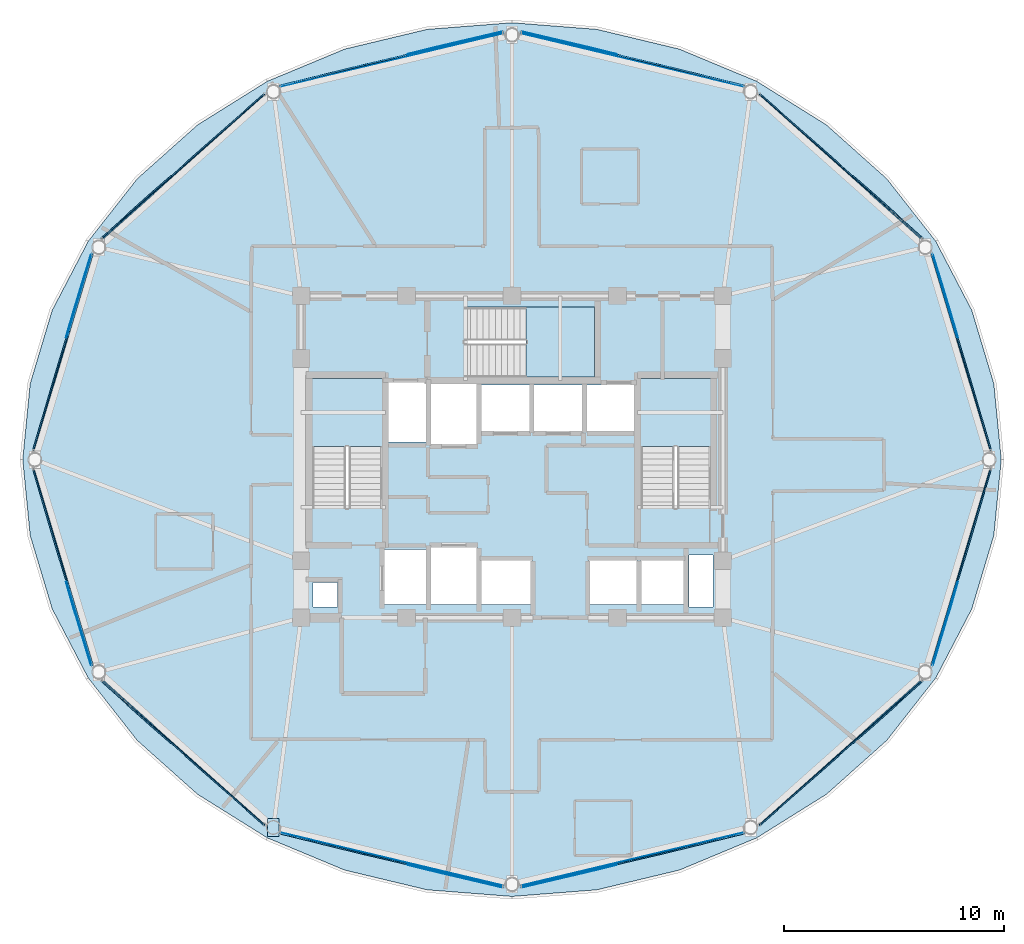
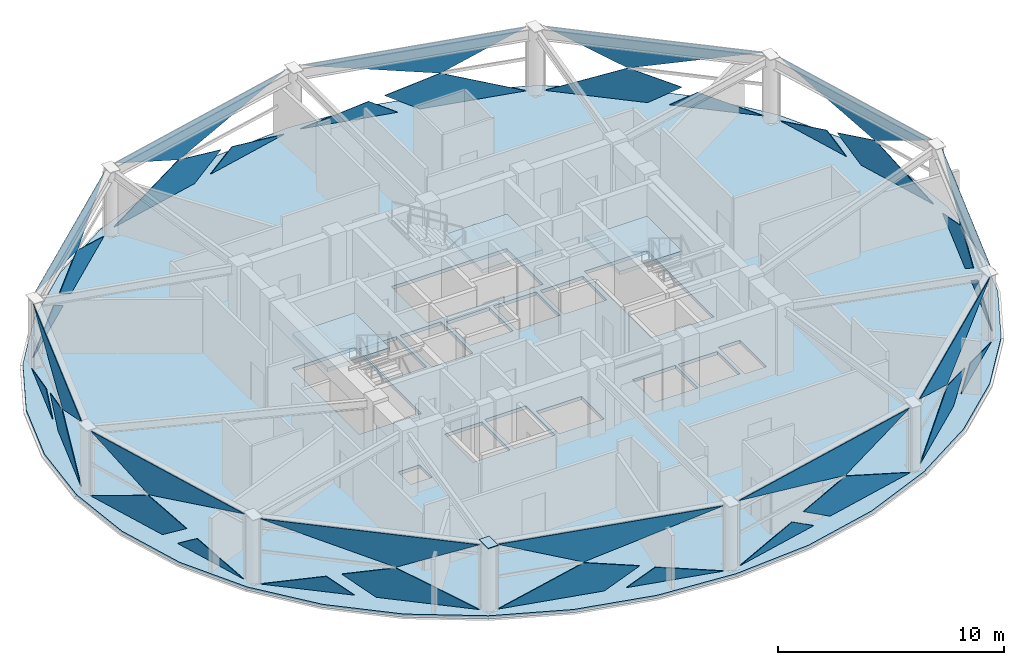
# One storey, part 20 of 28: 37 plates, 4 slabs, 15 elements without a shape of their own.
"""IFC4 building model written with IfcOpenShell, lengths in metres."""

from ifc_helpers import new_model, si_unit, direction, frame, origin, place, context, subcontext, project, spatial, polyline, outline, extrude, material, layer, layer_set, type_object, element, aggregate, save


model = new_model("IFC4")

# Units and contexts
model_context = context("Model", 3, precision=1e-05, world=origin(), true_north=direction((0.0, 1.0)))
body_context = subcontext(model_context, "Body", "Model", "MODEL_VIEW")
ifc_project = project(units=[si_unit("LENGTHUNIT", "METRE"), si_unit("AREAUNIT", "SQUARE_METRE"), si_unit("VOLUMEUNIT", "CUBIC_METRE"), si_unit("PLANEANGLEUNIT", "RADIAN"), si_unit("MASSUNIT", "GRAM", prefix="KILO")], contexts=[model_context])

# Site, building, storey
site_placement = place(None, origin())
site = spatial("IfcSite", under=ifc_project, at=site_placement, CompositionType="ELEMENT")
building_placement = place(site_placement, origin())
building = spatial("IfcBuilding", under=site, at=building_placement, Name="Vantalir Tower", CompositionType="ELEMENT")
storey_placement = place(building_placement, frame((0.0, 0.0, 246.14990234375)))
storey = spatial("IfcBuildingStorey", under=building, at=storey_placement, Name="L62", CompositionType="ELEMENT", Elevation=246.14990234375)

# Curtain wall, plates
ifc_material_1 = material(Name="Champagne-silver PVDF aluminium and double-silver Low-E glass", Category="aluminium")
ifc_layer_1 = layer(ifc_material_1, 0.2099609375)
ifc_layer_set_1 = layer_set([ifc_layer_1], Name="Champagne-silver PVDF aluminium and double-silver Low-E glass")
curtain_wall_type = type_object("IfcCurtainWallType", Name="CW-DIAMOND-Z3", PredefinedType="USERDEFINED", material=ifc_layer_set_1)
curtain_wall_1_placement = place(storey_placement, origin())
curtain_wall_1 = element("IfcCurtainWall", 1, at=curtain_wall_1_placement, inside=storey, type_object=curtain_wall_type, Name="L62 Quilted Pyramid-Diamond Curtain Wall S01", ObjectType="UNITISED CURTAIN WALL", PredefinedType="USERDEFINED")
ifc_material_2 = material(Name="Double-silver Low-E acoustic glass IGU", Category="glass")
ifc_layer_2 = layer(ifc_material_2, 0.031982421875)
ifc_layer_set_2 = layer_set([ifc_layer_2], Name="Double-silver Low-E acoustic glass IGU")
plate_type_1 = type_object("IfcPlateType", Name="CWP-IGU-32", PredefinedType="CURTAIN_PANEL", material=ifc_layer_set_2)
plate_1_placement = place(storey_placement, frame((53.28564453125, 25.406982421875, 0.047119140625), z_axis=(-0.957552532333, -0.287933015329, 0.013701332278), x_axis=(-0.28796077594, 0.957642202713, -5.5701221e-05)))
plate_1 = element("IfcPlate", 2, at=plate_1_placement, type_object=plate_type_1, Name="CW-L62-S01 Pyramid Diamond Facet 1L", PredefinedType="CURTAIN_PANEL", context=body_context, shape_type="SweptSolid", body=[
    extrude(outline(polyline([(0.0, 0.0), (4.388276432438753, -3.144186300207963e-18), (5.864118236400002, -1.0368009153567608), (3.5520079225031527, -1.7257013465447941), (0.0, 0.0)])), origin(), (0.0, 0.0, -1.0), 0.031982421875),
])
plate_2_placement = place(storey_placement, frame((51.78125, 30.534912109375, 0.04638671875), z_axis=(-0.957565518054, -0.287892323291, 0.013648766381), x_axis=(-0.287919142599, 0.957654722395, 0.0)))
plate_2 = element("IfcPlate", 3, at=plate_2_placement, type_object=plate_type_1, Name="CW-L62-S01 Pyramid Diamond Facet 1L Infill Light", PredefinedType="CURTAIN_PANEL", context=body_context, shape_type="SweptSolid", body=[
    extrude(outline(polyline([(0.0, 0.0), (3.9989254521439648, 1.734723475976807e-18), (1.1911963044620715, -0.8367478638927613), (0.0, 0.0)])), origin(), (0.0, 0.0, -1.0), 0.031982421875),
])
plate_3_placement = place(storey_placement, frame((50.595458984375, 34.35400390625, 3.5234375), z_axis=(0.957557850322, 0.287917600327, 0.013653523683), x_axis=(0.287944782305, -0.95764701308, -2.6131662e-05)))
plate_3 = element("IfcPlate", 4, at=plate_3_placement, type_object=plate_type_1, Name="CW-L62-S01 Pyramid Diamond Facet 2U", PredefinedType="CURTAIN_PANEL", context=body_context, shape_type="SweptSolid", body=[
    extrude(outline(polyline([(0.0, 0.0), (9.342713298506363, 1.1438332919722072e-17), (5.790653966445077, 1.7258396311984687), (0.0, 0.0)])), origin(), (0.0, 0.0, -1.0), 0.031982421875),
])
aggregate(curtain_wall_1, [plate_1, plate_2, plate_3])

curtain_wall_2_placement = place(storey_placement, origin())
curtain_wall_2 = element("IfcCurtainWall", 5, at=curtain_wall_2_placement, inside=storey, type_object=curtain_wall_type, Name="L62 Quilted Pyramid-Diamond Curtain Wall S02", ObjectType="UNITISED CURTAIN WALL", PredefinedType="USERDEFINED")
plate_4_placement = place(storey_placement, frame((46.24658203125, 38.52734375, 0.046875), z_axis=(-0.665218153377, -0.746522099102, 0.013768223233), x_axis=(-0.74659286434, 0.665281214913, 1.82269e-07)))
plate_4 = element("IfcPlate", 6, at=plate_4_placement, type_object=plate_type_1, Name="CW-L62-S02 Pyramid Diamond Facet 1L", PredefinedType="CURTAIN_PANEL", context=body_context, shape_type="SweptSolid", body=[
    extrude(outline(polyline([(0.0, 0.0), (4.654990633558481, 6.938893903907228e-18), (0.8900319833649103, -1.7259935167460585), (-1.5555452392189206, -1.0369646565889725), (0.0, 0.0)])), origin(), (0.0, 0.0, -1.0), 0.031982421875),
])
plate_5_placement = place(storey_placement, frame((50.1796875, 35.070556640625, 0.046142578125), z_axis=(-0.665237871019, -0.746503104611, 0.01384520737), x_axis=(-0.746574132311, 0.665302233316, 5.7517268e-05)))
plate_5 = element("IfcPlate", 7, at=plate_5_placement, type_object=plate_type_1, Name="CW-L62-S02 Pyramid Diamond Facet 1L Infill Light", PredefinedType="CURTAIN_PANEL", context=body_context, shape_type="SweptSolid", body=[
    extrude(outline(polyline([(0.0, 0.0), (4.2446492255091055, -3.06287113727155e-18), (2.9839648471847116, -0.8407292678471551), (0.0, 0.0)])), origin(), (0.0, 0.0, -1.0), 0.031982421875),
])
plate_6_placement = place(storey_placement, frame((42.771240234375, 41.624267578125, 3.523193359375), z_axis=(0.665234431269, 0.746507368961, 0.013780404246), x_axis=(0.74657803322, -0.665297857884, 2.4682713e-05)))
plate_6 = element("IfcPlate", 8, at=plate_6_placement, type_object=plate_type_1, Name="CW-L62-S02 Pyramid Diamond Facet 2U", PredefinedType="CURTAIN_PANEL", context=body_context, shape_type="SweptSolid", body=[
    extrude(outline(polyline([(0.0, 0.0), (9.89115826583857, -2.439454888092385e-19), (3.764915836127231, 1.72608690632679), (0.0, 0.0)])), origin(), (0.0, 0.0, -1.0), 0.031982421875),
])
aggregate(curtain_wall_2, [plate_4, plate_5, plate_6])

curtain_wall_3_placement = place(storey_placement, origin())
curtain_wall_3 = element("IfcCurtainWall", 9, at=curtain_wall_3_placement, inside=storey, type_object=curtain_wall_type, Name="L62 Quilted Pyramid-Diamond Curtain Wall S03", ObjectType="UNITISED CURTAIN WALL", PredefinedType="USERDEFINED")
plate_7_placement = place(storey_placement, frame((42.040771484375, 42.005615234375, 0.046875), z_axis=(-0.232288291196, -0.972551558189, 0.013624112328), x_axis=(-0.972641831194, 0.232309853884, 1.07405e-07)))
plate_7 = element("IfcPlate", 10, at=plate_7_placement, type_object=plate_type_1, Name="CW-L62-S03 Pyramid Diamond Facet 1L", PredefinedType="CURTAIN_PANEL", context=body_context, shape_type="SweptSolid", body=[
    extrude(outline(polyline([(0.0, 0.0), (4.908716547441816, 3.469446951953614e-18), (6.538609481317803, -1.0362282851837747), (3.9589985220961275, -1.726234536941505), (0.0, 0.0)])), origin(), (0.0, 0.0, -1.0), 0.031982421875),
])
plate_8_placement = place(storey_placement, frame((36.27783203125, 43.4189453125, 0.046142578125), z_axis=(-0.232252000906, -0.972558660447, 0.013735358161), x_axis=(-0.97265041492, 0.232273912345, 0.0)))
plate_8 = element("IfcPlate", 11, at=plate_8_placement, type_object=plate_type_1, Name="CW-L62-S03 Pyramid Diamond Facet 1L Infill Light", PredefinedType="CURTAIN_PANEL", context=body_context, shape_type="SweptSolid", body=[
    extrude(outline(polyline([(0.0, 0.0), (4.4786915268356156, 0.0), (1.326318338676795, -0.843341274911813), (0.0, 0.0)])), origin(), (0.0, 0.0, -1.0), 0.031982421875),
])
plate_9_placement = place(storey_placement, frame((31.913330078125, 44.42431640625, 3.523681640625), z_axis=(0.232272423601, 0.97255448723, 0.013685415685), x_axis=(0.972645723208, -0.232293553344, -4.6894833e-05)))
plate_9 = element("IfcPlate", 12, at=plate_9_placement, type_object=plate_type_1, Name="CW-L62-S03 Pyramid Diamond Facet 2U", PredefinedType="CURTAIN_PANEL", context=body_context, shape_type="SweptSolid", body=[
    extrude(outline(polyline([(0.0, 0.0), (10.412261283423264, 9.974659986866641e-18), (6.4533442789255595, 1.7261773887445437), (0.0, 0.0)])), origin(), (0.0, 0.0, -1.0), 0.031982421875),
])
aggregate(curtain_wall_3, [plate_7, plate_8, plate_9])

curtain_wall_4_placement = place(storey_placement, origin())
curtain_wall_4 = element("IfcCurtainWall", 13, at=curtain_wall_4_placement, inside=storey, type_object=curtain_wall_type, Name="L62 Quilted Pyramid-Diamond Curtain Wall S04", ObjectType="UNITISED CURTAIN WALL", PredefinedType="USERDEFINED")
plate_10_placement = place(storey_placement, frame((25.733642578125, 43.14599609375, 0.046875), z_axis=(0.232288291196, -0.972551558189, 0.013624112328), x_axis=(-0.972641831194, -0.232309853884, -1.07405e-07)))
plate_10 = element("IfcPlate", 14, at=plate_10_placement, type_object=plate_type_1, Name="CW-L62-S04 Pyramid Diamond Facet 1L", PredefinedType="CURTAIN_PANEL", context=body_context, shape_type="SweptSolid", body=[
    extrude(outline(polyline([(0.0, 0.0), (4.908716547441816, -3.469446951953614e-18), (0.9497180253456894, -1.726234536941505), (-1.629892933875986, -1.0362282851837747), (0.0, 0.0)])), origin(), (0.0, 0.0, -1.0), 0.031982421875),
])
plate_11_placement = place(storey_placement, frame((31.078369140625, 44.459228515625, 0.046142578125), z_axis=(0.232252000906, -0.972558660447, 0.013735358161), x_axis=(-0.97265041492, -0.232273912345, 0.0)))
plate_11 = element("IfcPlate", 15, at=plate_11_placement, type_object=plate_type_1, Name="CW-L62-S04 Pyramid Diamond Facet 1L Infill Light", PredefinedType="CURTAIN_PANEL", context=body_context, shape_type="SweptSolid", body=[
    extrude(outline(polyline([(0.0, 0.0), (4.4786915268356156, 0.0), (3.152373188158821, -0.843341274911813), (0.0, 0.0)])), origin(), (0.0, 0.0, -1.0), 0.031982421875),
])
plate_12_placement = place(storey_placement, frame((20.959228515625, 42.005615234375, 3.523193359375), z_axis=(-0.232272423601, 0.97255448723, 0.013685415685), x_axis=(0.972645723208, 0.232293553344, 4.6894833e-05)))
plate_12 = element("IfcPlate", 16, at=plate_12_placement, type_object=plate_type_1, Name="CW-L62-S04 Pyramid Diamond Facet 2U", PredefinedType="CURTAIN_PANEL", context=body_context, shape_type="SweptSolid", body=[
    extrude(outline(polyline([(0.0, 0.0), (10.412261283423264, -9.974659986866641e-18), (3.9589170044977036, 1.7261773887445437), (0.0, 0.0)])), origin(), (0.0, 0.0, -1.0), 0.031982421875),
])
aggregate(curtain_wall_4, [plate_10, plate_11, plate_12])

curtain_wall_5_placement = place(storey_placement, origin())
curtain_wall_5 = element("IfcCurtainWall", 17, at=curtain_wall_5_placement, inside=storey, type_object=curtain_wall_type, Name="L62 Quilted Pyramid-Diamond Curtain Wall S05", ObjectType="UNITISED CURTAIN WALL", PredefinedType="USERDEFINED")
plate_13_placement = place(storey_placement, frame((20.228759765625, 41.624267578125, 0.046875), z_axis=(0.665218153377, -0.746522099102, 0.013768223233), x_axis=(-0.74659286434, -0.665281214913, -1.82269e-07)))
plate_13 = element("IfcPlate", 18, at=plate_13_placement, type_object=plate_type_1, Name="CW-L62-S05 Pyramid Diamond Facet 1L", PredefinedType="CURTAIN_PANEL", context=body_context, shape_type="SweptSolid", body=[
    extrude(outline(polyline([(0.0, 0.0), (4.654990633558481, -6.938893903907228e-18), (6.210535872777402, -1.0369646565889725), (3.7649586501935706, -1.7259935167460585), (0.0, 0.0)])), origin(), (0.0, 0.0, -1.0), 0.031982421875),
])
plate_14_placement = place(storey_placement, frame((15.9892578125, 37.89453125, 0.04638671875), z_axis=(0.665237871019, -0.746503104611, 0.01384520737), x_axis=(-0.746574132311, -0.665302233316, -5.7517268e-05)))
plate_14 = element("IfcPlate", 19, at=plate_14_placement, type_object=plate_type_1, Name="CW-L62-S05 Pyramid Diamond Facet 1L Infill Light", PredefinedType="CURTAIN_PANEL", context=body_context, shape_type="SweptSolid", body=[
    extrude(outline(polyline([(0.0, 0.0), (4.2446492255091055, 3.06287113727155e-18), (1.2606843783243948, -0.8407292678471551), (0.0, 0.0)])), origin(), (0.0, 0.0, -1.0), 0.031982421875),
])
plate_15_placement = place(storey_placement, frame((12.84423828125, 35.043701171875, 3.5234375), z_axis=(-0.665234431269, 0.746507368961, 0.013780404246), x_axis=(0.74657803322, 0.665297857884, -2.4682713e-05)))
plate_15 = element("IfcPlate", 20, at=plate_15_placement, type_object=plate_type_1, Name="CW-L62-S05 Pyramid Diamond Facet 2U", PredefinedType="CURTAIN_PANEL", context=body_context, shape_type="SweptSolid", body=[
    extrude(outline(polyline([(0.0, 0.0), (9.89115826583857, 2.439454888092385e-19), (6.126242429711338, 1.7260869063267903), (0.0, 0.0)])), origin(), (0.0, 0.0, -1.0), 0.031982421875),
])
aggregate(curtain_wall_5, [plate_13, plate_14, plate_15])

curtain_wall_6_placement = place(storey_placement, origin())
curtain_wall_6 = element("IfcCurtainWall", 21, at=curtain_wall_6_placement, inside=storey, type_object=curtain_wall_type, Name="L62 Quilted Pyramid-Diamond Curtain Wall S06", ObjectType="UNITISED CURTAIN WALL", PredefinedType="USERDEFINED")
plate_16_placement = place(storey_placement, frame((10.97802734375, 29.609375, 0.046875), z_axis=(0.957552532333, -0.287933015329, 0.013701332278), x_axis=(-0.28796077594, -0.957642202713, 5.5701221e-05)))
plate_16 = element("IfcPlate", 22, at=plate_16_placement, type_object=plate_type_1, Name="CW-L62-S06 Pyramid Diamond Facet 1L", PredefinedType="CURTAIN_PANEL", context=body_context, shape_type="SweptSolid", body=[
    extrude(outline(polyline([(0.0, 0.0), (4.388276432438753, 3.144186300207963e-18), (0.8362685099355998, -1.7257013465447941), (-1.4758418039612502, -1.0368009153567608), (0.0, 0.0)])), origin(), (0.0, 0.0, -1.0), 0.031982421875),
])
plate_17_placement = place(storey_placement, frame((12.3701171875, 34.364501953125, 0.04638671875), z_axis=(0.957565518054, -0.287892323291, 0.013648766381), x_axis=(-0.287919142599, -0.957654722395, 0.0)))
plate_17 = element("IfcPlate", 23, at=plate_17_placement, type_object=plate_type_1, Name="CW-L62-S06 Pyramid Diamond Facet 1L Infill Light", PredefinedType="CURTAIN_PANEL", context=body_context, shape_type="SweptSolid", body=[
    extrude(outline(polyline([(0.0, 0.0), (3.9989254521439648, -1.734723475976807e-18), (2.807729147681893, -0.8367478638927613), (0.0, 0.0)])), origin(), (0.0, 0.0, -1.0), 0.031982421875),
])
plate_18_placement = place(storey_placement, frame((9.71435546875, 25.406982421875, 3.523193359375), z_axis=(-0.957557850322, 0.287917600327, 0.013653523683), x_axis=(0.287944782305, 0.95764701308, 2.6131662e-05)))
plate_18 = element("IfcPlate", 24, at=plate_18_placement, type_object=plate_type_1, Name="CW-L62-S06 Pyramid Diamond Facet 2U", PredefinedType="CURTAIN_PANEL", context=body_context, shape_type="SweptSolid", body=[
    extrude(outline(polyline([(0.0, 0.0), (9.342713298506363, -1.1438332919722072e-17), (3.5520593320612868, 1.7258396311984685), (0.0, 0.0)])), origin(), (0.0, 0.0, -1.0), 0.031982421875),
])
aggregate(curtain_wall_6, [plate_16, plate_17, plate_18])

curtain_wall_7_placement = place(storey_placement, origin())
curtain_wall_7 = element("IfcCurtainWall", 25, at=curtain_wall_7_placement, inside=storey, type_object=curtain_wall_type, Name="L62 Quilted Pyramid-Diamond Curtain Wall S07", ObjectType="UNITISED CURTAIN WALL", PredefinedType="USERDEFINED")
plate_19_placement = place(storey_placement, frame((9.71435546875, 24.593017578125, 0.047119140625), z_axis=(0.957558750376, 0.287911826425, 0.013712030577), x_axis=(0.287939625987, -0.957648562208, -5.5558857e-05)))
plate_19 = element("IfcPlate", 26, at=plate_19_placement, type_object=plate_type_1, Name="CW-L62-S07 Pyramid Diamond Facet 1L", PredefinedType="CURTAIN_PANEL", context=body_context, shape_type="SweptSolid", body=[
    extrude(outline(polyline([(0.0, 0.0), (4.388744032735341, 2.8189256484623115e-18), (5.86458629813108, -1.036800258501032), (3.5524762908540244, -1.7257017187408568), (0.0, 0.0)])), origin(), (0.0, 0.0, -1.0), 0.031982421875),
])
plate_20_placement = place(storey_placement, frame((11.21875, 19.46435546875, 0.04638671875), z_axis=(0.957570904892, 0.287875590455, 0.013623748532), x_axis=(0.287902309969, -0.957659782968, 0.0)))
plate_20 = element("IfcPlate", 27, at=plate_20_placement, type_object=plate_type_1, Name="CW-L62-S07 Pyramid Diamond Facet 1L Infill Light", PredefinedType="CURTAIN_PANEL", context=body_context, shape_type="SweptSolid", body=[
    extrude(outline(polyline([(0.0, 0.0), (3.999159255184188, 0.0), (1.191196505016208, -0.8367475783833296), (0.0, 0.0)])), origin(), (0.0, 0.0, -1.0), 0.031982421875),
])
plate_21_placement = place(storey_placement, frame((12.404541015625, 15.64501953125, 3.5234375), z_axis=(-0.957566259519, -0.287888705372, 0.013673037332), x_axis=(-0.287915961893, 0.957655678313, -2.6129046e-05)))
plate_21 = element("IfcPlate", 28, at=plate_21_placement, type_object=plate_type_1, Name="CW-L62-S07 Pyramid Diamond Facet 2U", PredefinedType="CURTAIN_PANEL", context=body_context, shape_type="SweptSolid", body=[
    extrude(outline(polyline([(0.0, 0.0), (9.343648504898855, -1.9244588561617704e-18), (5.791120855471177, 1.7258400943749712), (0.0, 0.0)])), origin(), (0.0, 0.0, -1.0), 0.031982421875),
])
aggregate(curtain_wall_7, [plate_19, plate_20, plate_21])

curtain_wall_8_placement = place(storey_placement, origin())
curtain_wall_8 = element("IfcCurtainWall", 29, at=curtain_wall_8_placement, inside=storey, type_object=curtain_wall_type, Name="L62 Quilted Pyramid-Diamond Curtain Wall S08", ObjectType="UNITISED CURTAIN WALL", PredefinedType="USERDEFINED")
plate_22_placement = place(storey_placement, frame((16.75341796875, 11.47216796875, 0.046875), z_axis=(0.665177549203, 0.746557764667, 0.013796088259), x_axis=(0.746628823143, -0.665240858977, -1.52164e-07)))
plate_22 = element("IfcPlate", 30, at=plate_22_placement, type_object=plate_type_1, Name="CW-L62-S08 Pyramid Diamond Facet 1L", PredefinedType="CURTAIN_PANEL", context=body_context, shape_type="SweptSolid", body=[
    extrude(outline(polyline([(0.0, 0.0), (4.654665798789615, 0.0), (0.8900301204015797, -1.7259944774071123), (-1.5555463587507834, -1.03696297774338), (0.0, 0.0)])), origin(), (0.0, 0.0, -1.0), 0.031982421875),
])
plate_23_placement = place(storey_placement, frame((12.8203125, 14.928466796875, 0.046142578125), z_axis=(0.66520838928, 0.746534537171, 0.01356405699), x_axis=(0.746602701395, -0.665270172908, 5.7519469e-05)))
plate_23 = element("IfcPlate", 31, at=plate_23_placement, type_object=plate_type_1, Name="CW-L62-S08 Pyramid Diamond Facet 1L Infill Light", PredefinedType="CURTAIN_PANEL", context=body_context, shape_type="SweptSolid", body=[
    extrude(outline(polyline([(0.0, 0.0), (4.244486802119599, -7.616520261710669e-18), (2.9836395074778035, -0.8407260400092053), (0.0, 0.0)])), origin(), (0.0, 0.0, -1.0), 0.031982421875),
])
plate_24_placement = place(storey_placement, frame((20.228759765625, 8.375732421875, 3.523193359375), z_axis=(-0.66517893661, -0.746555885954, 0.013830814773), x_axis=(-0.746627073708, 0.66524282198, 2.4684335e-05)))
plate_24 = element("IfcPlate", 32, at=plate_24_placement, type_object=plate_type_1, Name="CW-L62-S08 Pyramid Diamond Facet 2U", PredefinedType="CURTAIN_PANEL", context=body_context, shape_type="SweptSolid", body=[
    extrude(outline(polyline([(0.0, 0.0), (9.890508587771347, 1.2197274440461925e-18), (3.764592750903992, 1.7260881059519486), (0.0, 0.0)])), origin(), (0.0, 0.0, -1.0), 0.031982421875),
])
aggregate(curtain_wall_8, [plate_22, plate_23, plate_24])

curtain_wall_9_placement = place(storey_placement, origin())
curtain_wall_9 = element("IfcCurtainWall", 33, at=curtain_wall_9_placement, inside=storey, type_object=curtain_wall_type, Name="L62 Quilted Pyramid-Diamond Curtain Wall S09", ObjectType="UNITISED CURTAIN WALL", PredefinedType="USERDEFINED")
plate_25_placement = place(storey_placement, frame((20.959228515625, 7.994384765625, 0.046875), z_axis=(0.232288291196, 0.972551558189, 0.013624112328), x_axis=(0.972641831194, -0.232309853884, 1.07405e-07)))
plate_25 = element("IfcPlate", 34, at=plate_25_placement, type_object=plate_type_1, Name="CW-L62-S09 Pyramid Diamond Facet 1L", PredefinedType="CURTAIN_PANEL", context=body_context, shape_type="SweptSolid", body=[
    extrude(outline(polyline([(0.0, 0.0), (4.908716547441816, 3.469446951953614e-18), (6.538609481317803, -1.0362282851837747), (3.9589985220961275, -1.726234536941505), (0.0, 0.0)])), origin(), (0.0, 0.0, -1.0), 0.031982421875),
])
plate_26_placement = place(storey_placement, frame((26.72216796875, 6.5810546875, 0.046142578125), z_axis=(0.232252000906, 0.972558660447, 0.013735358161), x_axis=(0.97265041492, -0.232273912345, 0.0)))
plate_26 = element("IfcPlate", 35, at=plate_26_placement, type_object=plate_type_1, Name="CW-L62-S09 Pyramid Diamond Facet 1L Infill Light", PredefinedType="CURTAIN_PANEL", context=body_context, shape_type="SweptSolid", body=[
    extrude(outline(polyline([(0.0, 0.0), (4.4786915268356156, 0.0), (1.326318338676795, -0.843341274911813), (0.0, 0.0)])), origin(), (0.0, 0.0, -1.0), 0.031982421875),
])
plate_27_placement = place(storey_placement, frame((31.086669921875, 5.57568359375, 3.523681640625), z_axis=(-0.232272423601, -0.97255448723, 0.013685415685), x_axis=(-0.972645723208, 0.232293553344, -4.6894833e-05)))
plate_27 = element("IfcPlate", 36, at=plate_27_placement, type_object=plate_type_1, Name="CW-L62-S09 Pyramid Diamond Facet 2U", PredefinedType="CURTAIN_PANEL", context=body_context, shape_type="SweptSolid", body=[
    extrude(outline(polyline([(0.0, 0.0), (10.412261283423264, 9.974659986866641e-18), (6.4533442789255595, 1.7261773887445437), (0.0, 0.0)])), origin(), (0.0, 0.0, -1.0), 0.031982421875),
])
aggregate(curtain_wall_9, [plate_25, plate_26, plate_27])

curtain_wall_10_placement = place(storey_placement, origin())
curtain_wall_10 = element("IfcCurtainWall", 37, at=curtain_wall_10_placement, inside=storey, type_object=curtain_wall_type, Name="L62 Quilted Pyramid-Diamond Curtain Wall S10", ObjectType="UNITISED CURTAIN WALL", PredefinedType="USERDEFINED")
plate_28_placement = place(storey_placement, frame((37.266357421875, 6.85400390625, 0.046875), z_axis=(-0.232288291196, 0.972551558189, 0.013624112328), x_axis=(0.972641831194, 0.232309853884, -1.07405e-07)))
plate_28 = element("IfcPlate", 38, at=plate_28_placement, type_object=plate_type_1, Name="CW-L62-S10 Pyramid Diamond Facet 1L", PredefinedType="CURTAIN_PANEL", context=body_context, shape_type="SweptSolid", body=[
    extrude(outline(polyline([(0.0, 0.0), (4.908716547441816, -3.469446951953614e-18), (0.9497180253456894, -1.726234536941505), (-1.629892933875986, -1.0362282851837747), (0.0, 0.0)])), origin(), (0.0, 0.0, -1.0), 0.031982421875),
])
plate_29_placement = place(storey_placement, frame((31.921630859375, 5.540771484375, 0.046142578125), z_axis=(-0.232252000906, 0.972558660447, 0.013735358161), x_axis=(0.97265041492, 0.232273912345, 0.0)))
plate_29 = element("IfcPlate", 39, at=plate_29_placement, type_object=plate_type_1, Name="CW-L62-S10 Pyramid Diamond Facet 1L Infill Light", PredefinedType="CURTAIN_PANEL", context=body_context, shape_type="SweptSolid", body=[
    extrude(outline(polyline([(0.0, 0.0), (4.4786915268356156, 0.0), (3.152373188158821, -0.843341274911813), (0.0, 0.0)])), origin(), (0.0, 0.0, -1.0), 0.031982421875),
])
plate_30_placement = place(storey_placement, frame((42.040771484375, 7.994384765625, 3.523193359375), z_axis=(0.232272423601, -0.97255448723, 0.013685415685), x_axis=(-0.972645723208, -0.232293553344, 4.6894833e-05)))
plate_30 = element("IfcPlate", 40, at=plate_30_placement, type_object=plate_type_1, Name="CW-L62-S10 Pyramid Diamond Facet 2U", PredefinedType="CURTAIN_PANEL", context=body_context, shape_type="SweptSolid", body=[
    extrude(outline(polyline([(0.0, 0.0), (10.412261283423264, -9.974659986866641e-18), (3.9589170044977036, 1.7261773887445437), (0.0, 0.0)])), origin(), (0.0, 0.0, -1.0), 0.031982421875),
])
aggregate(curtain_wall_10, [plate_28, plate_29, plate_30])

curtain_wall_11_placement = place(storey_placement, origin())
curtain_wall_11 = element("IfcCurtainWall", 41, at=curtain_wall_11_placement, inside=storey, type_object=curtain_wall_type, Name="L62 Quilted Pyramid-Diamond Curtain Wall S11", ObjectType="UNITISED CURTAIN WALL", PredefinedType="USERDEFINED")
plate_31_placement = place(storey_placement, frame((42.771240234375, 8.375732421875, 0.046875), z_axis=(-0.665177549203, 0.746557764667, 0.013796088259), x_axis=(0.746628823143, 0.665240858977, 1.52164e-07)))
plate_31 = element("IfcPlate", 42, at=plate_31_placement, type_object=plate_type_1, Name="CW-L62-S11 Pyramid Diamond Facet 1L", PredefinedType="CURTAIN_PANEL", context=body_context, shape_type="SweptSolid", body=[
    extrude(outline(polyline([(0.0, 0.0), (4.654665798789615, 0.0), (6.210212157540399, -1.03696297774338), (3.7646356783880353, -1.7259944774071123), (0.0, 0.0)])), origin(), (0.0, 0.0, -1.0), 0.031982421875),
])
plate_32_placement = place(storey_placement, frame((47.0107421875, 12.104736328125, 0.04638671875), z_axis=(-0.66520838928, 0.746534537171, 0.01356405699), x_axis=(0.746602701395, 0.665270172908, -5.7519469e-05)))
plate_32 = element("IfcPlate", 43, at=plate_32_placement, type_object=plate_type_1, Name="CW-L62-S11 Pyramid Diamond Facet 1L Infill Light", PredefinedType="CURTAIN_PANEL", context=body_context, shape_type="SweptSolid", body=[
    extrude(outline(polyline([(0.0, 0.0), (4.244486802119599, 7.616520261710669e-18), (1.2608472946417963, -0.8407260400092053), (0.0, 0.0)])), origin(), (0.0, 0.0, -1.0), 0.031982421875),
])
plate_33_placement = place(storey_placement, frame((50.15576171875, 14.955322265625, 3.5234375), z_axis=(0.66517893661, -0.746555885954, 0.013830814773), x_axis=(-0.746627073708, -0.66524282198, -2.4684335e-05)))
plate_33 = element("IfcPlate", 44, at=plate_33_placement, type_object=plate_type_1, Name="CW-L62-S11 Pyramid Diamond Facet 2U", PredefinedType="CURTAIN_PANEL", context=body_context, shape_type="SweptSolid", body=[
    extrude(outline(polyline([(0.0, 0.0), (9.890508587771347, -1.2197274440461925e-18), (6.125915836867356, 1.7260881059519486), (0.0, 0.0)])), origin(), (0.0, 0.0, -1.0), 0.031982421875),
])
aggregate(curtain_wall_11, [plate_31, plate_32, plate_33])

curtain_wall_12_placement = place(storey_placement, origin())
curtain_wall_12 = element("IfcCurtainWall", 45, at=curtain_wall_12_placement, inside=storey, type_object=curtain_wall_type, Name="L62 Quilted Pyramid-Diamond Curtain Wall S12", ObjectType="UNITISED CURTAIN WALL", PredefinedType="USERDEFINED")
plate_34_placement = place(storey_placement, frame((52.02197265625, 20.39013671875, 0.046875), z_axis=(-0.957558750376, 0.287911826425, 0.013712030577), x_axis=(0.287939625987, 0.957648562208, 5.5558857e-05)))
plate_34 = element("IfcPlate", 46, at=plate_34_placement, type_object=plate_type_1, Name="CW-L62-S12 Pyramid Diamond Facet 1L", PredefinedType="CURTAIN_PANEL", context=body_context, shape_type="SweptSolid", body=[
    extrude(outline(polyline([(0.0, 0.0), (4.388744032735341, -2.8189256484623115e-18), (0.836267741881316, -1.7257017187408568), (-1.4758422653957393, -1.036800258501032), (0.0, 0.0)])), origin(), (0.0, 0.0, -1.0), 0.031982421875),
])
plate_35_placement = place(storey_placement, frame((50.6298828125, 15.634521484375, 0.04638671875), z_axis=(-0.957570904892, 0.287875590455, 0.013623748532), x_axis=(0.287902309969, 0.957659782968, 0.0)))
plate_35 = element("IfcPlate", 47, at=plate_35_placement, type_object=plate_type_1, Name="CW-L62-S12 Pyramid Diamond Facet 1L Infill Light", PredefinedType="CURTAIN_PANEL", context=body_context, shape_type="SweptSolid", body=[
    extrude(outline(polyline([(0.0, 0.0), (3.999159255184188, 0.0), (2.80796275016798, -0.8367475783833296), (0.0, 0.0)])), origin(), (0.0, 0.0, -1.0), 0.031982421875),
])
plate_36_placement = place(storey_placement, frame((53.28564453125, 24.593017578125, 3.523193359375), z_axis=(0.957566259519, -0.287888705372, 0.013673037332), x_axis=(-0.287915961893, -0.957655678313, 2.6129046e-05)))
plate_36 = element("IfcPlate", 48, at=plate_36_placement, type_object=plate_type_1, Name="CW-L62-S12 Pyramid Diamond Facet 2U", PredefinedType="CURTAIN_PANEL", context=body_context, shape_type="SweptSolid", body=[
    extrude(outline(polyline([(0.0, 0.0), (9.343648504898855, 1.9244588561617704e-18), (3.5525276494276783, 1.7258400943749712), (0.0, 0.0)])), origin(), (0.0, 0.0, -1.0), 0.031982421875),
])
aggregate(curtain_wall_12, [plate_34, plate_35, plate_36])

# Plate
ifc_material_3 = material(Name="Steel S460", Category="steel")
ifc_layer_3 = layer(ifc_material_3, 0.031982421875)
ifc_layer_set_3 = layer_set([ifc_layer_3], Name="Steel S460")
plate_type_2 = type_object("IfcPlateType", Name="PLT-KN-Z3", PredefinedType="USERDEFINED", material=ifc_layer_set_3)
plate_37_placement = place(storey_placement, frame((20.381103515625, 8.656982421875, 3.593994140625), z_axis=(0.0, 0.0, 1.0), x_axis=(0.0, -1.0, 0.0)))
element("IfcPlate", 49, at=plate_37_placement, inside=storey, type_object=plate_type_2, Name="L62 Ring Column Top Cap RC09", ObjectType="FLANGE_PLATE", PredefinedType="USERDEFINED", context=body_context, shape_type="SweptSolid", body=[
    extrude(outline(polyline([(0.0, 0.0), (0.800048828125, 0.0), (0.800048828125, 0.519775390625), (0.0, 0.519775390625), (0.0, 0.0)])), origin(), (0.0, 0.0, -1.0), 0.031982421875),
])

# Stair, slab
ifc_material_4 = material(Name="Concrete C40/50", Category="concrete")
stair_type = type_object("IfcStairType", Name="STR-CORE-1450", PredefinedType="HALF_TURN_STAIR", material=ifc_material_4)
stair_1_placement = place(storey_placement, origin())
stair_1 = element("IfcStair", 50, at=stair_1_placement, inside=storey, type_object=stair_type, Name="L62 Core Exit Stair 1", PredefinedType="HALF_TURN_STAIR")
ifc_layer_4 = layer(ifc_material_4, 0.199951171875)
ifc_layer_set_4 = layer_set([ifc_layer_4], Name="Concrete C40/50")
slab_type_1 = type_object("IfcSlabType", Name="SL-LAND-200", PredefinedType="LANDING", material=ifc_layer_set_4)
slab_1_placement = place(storey_placement, frame((0.0, 0.0, 1.675048828125)))
slab_1 = element("IfcSlab", 51, at=slab_1_placement, type_object=slab_type_1, Name="ST1 landing 1", PredefinedType="LANDING", context=body_context, shape_type="SweptSolid", body=[
    extrude(outline(polyline([(25.60009765625, 25.590087890625), (25.60009765625, 28.699951171875), (22.39990234375, 28.699951171875), (22.39990234375, 25.590087890625), (25.60009765625, 25.590087890625)])), origin(), (0.0, 0.0, 1.0), 0.199951171875),
])
aggregate(stair_1, [slab_1])

stair_2_placement = place(storey_placement, origin())
stair_2 = element("IfcStair", 52, at=stair_2_placement, inside=storey, type_object=stair_type, Name="L62 Core Exit Stair 2", PredefinedType="HALF_TURN_STAIR")
slab_2_placement = place(storey_placement, frame((0.0, 0.0, 1.675048828125)))
slab_2 = element("IfcSlab", 53, at=slab_2_placement, type_object=slab_type_1, Name="ST2 landing 1", PredefinedType="LANDING", context=body_context, shape_type="SweptSolid", body=[
    extrude(outline(polyline([(40.550048828125, 25.590087890625), (40.550048828125, 28.699951171875), (37.35009765625, 28.699951171875), (37.35009765625, 25.590087890625), (40.550048828125, 25.590087890625)])), origin(), (0.0, 0.0, 1.0), 0.199951171875),
])
aggregate(stair_2, [slab_2])

stair_3_placement = place(storey_placement, origin())
stair_3 = element("IfcStair", 54, at=stair_3_placement, inside=storey, type_object=stair_type, Name="L62 Core Exit Stair 3", PredefinedType="HALF_TURN_STAIR")
slab_3_placement = place(storey_placement, frame((0.0, 0.0, 1.675048828125)))
slab_3 = element("IfcSlab", 55, at=slab_3_placement, type_object=slab_type_1, Name="ST3 landing 1", PredefinedType="LANDING", context=body_context, shape_type="SweptSolid", body=[
    extrude(outline(polyline([(32.139892578125, 28.75), (35.25, 28.75), (35.25, 31.949951171875), (32.139892578125, 31.949951171875), (32.139892578125, 28.75)])), origin(), (0.0, 0.0, 1.0), 0.199951171875),
])
aggregate(stair_3, [slab_3])

# Slab
ifc_layer_5 = layer(ifc_material_4, 0.179931640625)
ifc_layer_set_5 = layer_set([ifc_layer_5], Name="Concrete C40/50")
slab_type_2 = type_object("IfcSlabType", Name="SL-TWR-180", PredefinedType="FLOOR", material=ifc_layer_set_5)
slab_4_placement = place(storey_placement, frame((0.0, 0.0, -0.179931640625)))
element("IfcSlab", 56, at=slab_4_placement, inside=storey, type_object=slab_type_2, Name="L62 Primary Structural Slab", PredefinedType="FLOOR", context=body_context, shape_type="SweptSolid", body=[
    extrude(outline(polyline([(14.44189453125, 12.218994140625), (17.18603515625, 9.76904296875), (20.365966796875, 7.781005859375), (23.884033203125, 6.31591796875), (27.633056640625, 5.4189453125), (31.5, 5.116943359375), (35.366943359375, 5.4189453125), (39.115966796875, 6.31591796875), (42.634033203125, 7.781005859375), (45.81396484375, 9.76904296875), (48.55810546875, 12.218994140625), (50.784912109375, 15.05810546875), (52.425048828125, 18.199951171875), (53.429931640625, 21.547119140625), (53.76806640625, 25.0), (53.429931640625, 28.452880859375), (52.425048828125, 31.800048828125), (50.784912109375, 34.94091796875), (48.55810546875, 37.781005859375), (45.81396484375, 40.23095703125), (42.634033203125, 42.218994140625), (39.115966796875, 43.68408203125), (35.366943359375, 44.5810546875), (31.5, 44.883056640625), (27.633056640625, 44.5810546875), (23.884033203125, 43.68408203125), (20.365966796875, 42.218994140625), (17.18603515625, 40.23095703125), (14.44189453125, 37.781005859375), (12.215087890625, 34.94091796875), (10.574951171875, 31.800048828125), (9.570068359375, 28.452880859375), (9.23193359375, 25.0), (9.570068359375, 21.547119140625), (10.574951171875, 18.199951171875), (12.215087890625, 15.05810546875), (14.44189453125, 12.218994140625)]), holes=[polyline([(22.39990234375, 28.699951171875), (25.60009765625, 28.699951171875), (25.60009765625, 22.7900390625), (22.39990234375, 22.7900390625), (22.39990234375, 28.699951171875)]), polyline([(40.550048828125, 28.699951171875), (40.550048828125, 22.7900390625), (37.35009765625, 22.7900390625), (37.35009765625, 28.699951171875), (40.550048828125, 28.699951171875)]), polyline([(29.340087890625, 28.75), (29.340087890625, 31.949951171875), (35.25, 31.949951171875), (35.25, 28.75), (29.340087890625, 28.75)]), polyline([(25.699951171875, 18.39990234375), (25.699951171875, 20.89990234375), (27.60009765625, 20.89990234375), (27.60009765625, 18.39990234375), (25.699951171875, 18.39990234375)]), polyline([(25.699951171875, 28.5), (27.60009765625, 28.5), (27.60009765625, 25.800048828125), (25.699951171875, 25.800048828125), (25.699951171875, 28.5)]), polyline([(29.89990234375, 21.0), (29.89990234375, 18.39990234375), (27.800048828125, 18.39990234375), (27.800048828125, 21.0), (29.89990234375, 21.0)]), polyline([(29.89990234375, 25.699951171875), (27.800048828125, 25.699951171875), (27.800048828125, 28.5), (29.89990234375, 28.5), (29.89990234375, 25.699951171875)]), polyline([(30.10009765625, 18.39990234375), (30.10009765625, 20.39990234375), (32.39990234375, 20.39990234375), (32.39990234375, 18.39990234375), (30.10009765625, 18.39990234375)]), polyline([(37.35009765625, 20.39990234375), (39.35009765625, 20.39990234375), (39.35009765625, 18.39990234375), (37.35009765625, 18.39990234375), (37.35009765625, 20.39990234375)]), polyline([(37.199951171875, 20.39990234375), (37.199951171875, 18.39990234375), (35.0, 18.39990234375), (35.0, 20.39990234375), (37.199951171875, 20.39990234375)]), polyline([(32.300048828125, 26.300048828125), (30.10009765625, 26.300048828125), (30.10009765625, 28.39990234375), (32.300048828125, 28.39990234375), (32.300048828125, 26.300048828125)]), polyline([(32.5, 26.300048828125), (32.5, 28.39990234375), (34.699951171875, 28.39990234375), (34.699951171875, 26.300048828125), (32.5, 26.300048828125)]), polyline([(34.89990234375, 28.39990234375), (37.10009765625, 28.39990234375), (37.10009765625, 26.300048828125), (34.89990234375, 26.300048828125), (34.89990234375, 28.39990234375)]), polyline([(23.550048828125, 19.39990234375), (23.550048828125, 18.300048828125), (22.449951171875, 18.300048828125), (22.449951171875, 19.39990234375), (23.550048828125, 19.39990234375)]), polyline([(40.64990234375, 18.300048828125), (39.550048828125, 18.300048828125), (39.550048828125, 20.64990234375), (40.64990234375, 20.64990234375), (40.64990234375, 18.300048828125)])]), origin(), (0.0, 0.0, 1.0), 0.179931640625),
])

save(model, "model.ifc")
